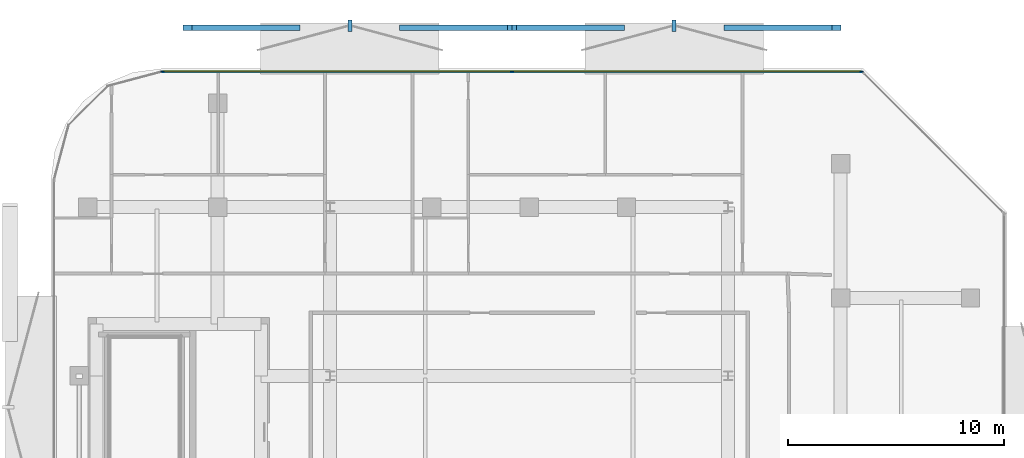
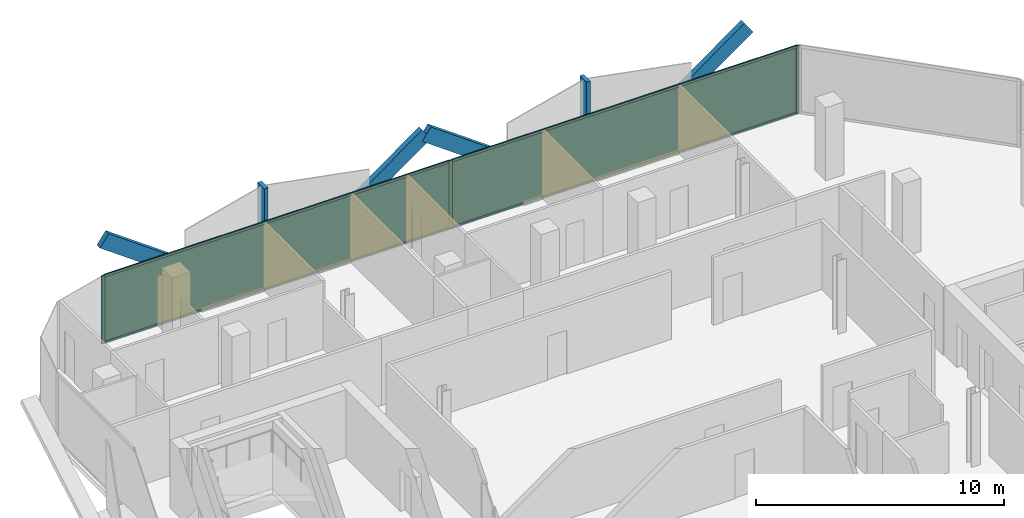
# One storey, part 11 of 15: 13 members, 2 plates, 1 curtain wall.
"""IFC4 building model written with IfcOpenShell, lengths in metres."""

from ifc_helpers import new_model, si_unit, direction, frame, frame_2d, origin, origin_2d, place, context, subcontext, project, spatial, rectangle, extrude, material, layer, layer_set, material_profile, profile_set, type_object, element, aggregate, save


model = new_model("IFC4")

# Units and contexts
model_context = context("Model", 3, precision=1e-05, world=origin(), true_north=direction((0.0, 1.0)))
body_context = subcontext(model_context, "Body", "Model", "MODEL_VIEW")
ifc_project = project(units=[si_unit("LENGTHUNIT", "METRE"), si_unit("AREAUNIT", "SQUARE_METRE"), si_unit("VOLUMEUNIT", "CUBIC_METRE"), si_unit("PLANEANGLEUNIT", "RADIAN"), si_unit("MASSUNIT", "GRAM", prefix="KILO")], contexts=[model_context])

# Member
ifc_material_1 = material(Name="Anodised Bronze Aluminium 6063-T6", Category="aluminium")
ifc_material_profile_1 = material_profile(ifc_material_1, rectangle(XDim=0.260009765625, YDim=0.699951171875, at=origin_2d()))
ifc_profile_set_1 = profile_set([ifc_material_profile_1], Name="Anodised Bronze Aluminium 6063-T6")
member_type_1 = type_object("IfcMemberType", Name="Bronze Diamond Solar-Screen Lattice Rib BDL-700", PredefinedType="MULLION", material=ifc_profile_set_1)
site_placement = place(None, origin())
building_placement = place(site_placement, origin())
storey_placement = place(building_placement, frame((0.0, 0.0, 251.199951171875)))
member_1_placement = place(storey_placement, frame((-5.793212890625, 26.89990234375, -0.1298828125), z_axis=(0.811477958284, 0.0, 0.584383027834), x_axis=(0.0, 1.0, 0.0)))
member_1 = element("IfcMember", 1, at=member_1_placement, type_object=member_type_1, Name="L59 Bronze Diamond Solar Screen Lattice Rib 405A", PredefinedType="MULLION", context=body_context, shape_type="SweptSolid", body=[
    extrude(rectangle(XDim=0.260009765625, YDim=0.699951171875, at=origin_2d()), origin(), (0.0, 0.0, 1.0), 6.16015625),
])

member_2_placement = place(storey_placement, frame((-10.7919921875, 26.89990234375, -0.1298828125), z_axis=(-0.811477958284, 0.0, 0.584383027834), x_axis=(0.0, -1.0, 0.0)))
member_2 = element("IfcMember", 2, at=member_2_placement, type_object=member_type_1, Name="L59 Bronze Diamond Solar Screen Lattice Rib 405B", PredefinedType="MULLION", context=body_context, shape_type="SweptSolid", body=[
    extrude(rectangle(XDim=0.260009765625, YDim=0.699951171875, at=origin_2d()), origin(), (0.0, 0.0, 1.0), 6.16015625),
])

member_3_placement = place(storey_placement, frame((9.203125, 26.89990234375, -0.1298828125), z_axis=(0.811477958284, 0.0, 0.584383027834), x_axis=(0.0, 1.0, 0.0)))
member_3 = element("IfcMember", 3, at=member_3_placement, type_object=member_type_1, Name="L59 Bronze Diamond Solar Screen Lattice Rib 406A", PredefinedType="MULLION", context=body_context, shape_type="SweptSolid", body=[
    extrude(rectangle(XDim=0.260009765625, YDim=0.699951171875, at=origin_2d()), origin(), (0.0, 0.0, 1.0), 6.16015625),
])

member_4_placement = place(storey_placement, frame((4.204345703125, 26.89990234375, -0.1298828125), z_axis=(-0.811477958284, 0.0, 0.584383027834), x_axis=(0.0, -1.0, 0.0)))
member_4 = element("IfcMember", 4, at=member_4_placement, type_object=member_type_1, Name="L59 Bronze Diamond Solar Screen Lattice Rib 406B", PredefinedType="MULLION", context=body_context, shape_type="SweptSolid", body=[
    extrude(rectangle(XDim=0.260009765625, YDim=0.699951171875, at=origin_2d()), origin(), (0.0, 0.0, 1.0), 6.16015625),
])

ifc_material_2 = material(Name="Anodised Bronze Aluminium 6063-T6", Category="aluminium")
ifc_material_profile_2 = material_profile(ifc_material_2, rectangle(XDim=0.179931640625, YDim=0.5400390625, at=origin_2d()))
ifc_profile_set_2 = profile_set([ifc_material_profile_2], Name="Anodised Bronze Aluminium 6063-T6")
member_type_2 = type_object("IfcMemberType", Name="Bronze Solar-Screen Vertical Fold Fin BSF-540", PredefinedType="MULLION", material=ifc_profile_set_2)
member_5_placement = place(storey_placement, frame((-8.29248046875, 26.97998046875, -0.1298828125), z_axis=(0.0, 0.0, 1.0), x_axis=(1.0, 0.0, 0.0)))
member_5 = element("IfcMember", 5, at=member_5_placement, type_object=member_type_2, Name="L59 Bronze Solar Screen Vertical Fin 405", PredefinedType="MULLION", context=body_context, shape_type="SweptSolid", body=[
    extrude(rectangle(XDim=0.179931640625, YDim=0.5400390625, at=origin_2d()), origin(), (0.0, 0.0, 1.0), 3.599853515625),
])

member_6_placement = place(storey_placement, frame((6.703857421875, 26.97998046875, -0.1298828125), z_axis=(0.0, 0.0, 1.0), x_axis=(1.0, 0.0, 0.0)))
member_6 = element("IfcMember", 6, at=member_6_placement, type_object=member_type_2, Name="L59 Bronze Solar Screen Vertical Fin 406", PredefinedType="MULLION", context=body_context, shape_type="SweptSolid", body=[
    extrude(rectangle(XDim=0.179931640625, YDim=0.5400390625, at=origin_2d()), origin(), (0.0, 0.0, 1.0), 3.599853515625),
])

ifc_material_3 = material(Name="Anodised Bronze Aluminium 6063-T6", Category="aluminium")
ifc_material_profile_3 = material_profile(ifc_material_3, rectangle(XDim=0.06005859375, YDim=0.159912109375, at=origin_2d()))
ifc_profile_set_3 = profile_set([ifc_material_profile_3], Name="Anodised Bronze Aluminium 6063-T6")
member_type_3 = type_object("IfcMemberType", Name="CW-Z4 Mullion 60x160", PredefinedType="MULLION", material=ifc_profile_set_3)
member_7_placement = place(storey_placement, frame((-16.960693359375, 24.860107421875, 0.0), z_axis=(0.0, 0.0, 1.0), x_axis=(0.0, 1.0, 0.0)))
member_7 = element("IfcMember", 7, at=member_7_placement, type_object=member_type_3, Name="CW-Z4 mullion 1", PredefinedType="MULLION", context=body_context, shape_type="SweptSolid", body=[
    extrude(rectangle(XDim=0.06005859375, YDim=0.159912109375, at=origin_2d()), origin(), (0.0, 0.0, 1.0), 3.340087890625),
])

member_8_placement = place(storey_placement, frame((-0.79443359375, 24.860107421875, 0.0), z_axis=(0.0, 0.0, 1.0), x_axis=(0.0, 1.0, 0.0)))
member_8 = element("IfcMember", 8, at=member_8_placement, type_object=member_type_3, Name="CW-Z4 mullion 2", PredefinedType="MULLION", context=body_context, shape_type="SweptSolid", body=[
    extrude(rectangle(XDim=0.06005859375, YDim=0.159912109375, at=origin_2d()), origin(), (0.0, 0.0, 1.0), 3.340087890625),
])

member_9_placement = place(storey_placement, frame((15.3720703125, 24.860107421875, 0.0), z_axis=(0.0, 0.0, 1.0), x_axis=(0.0, 1.0, 0.0)))
member_9 = element("IfcMember", 9, at=member_9_placement, type_object=member_type_3, Name="CW-Z4 mullion 3", PredefinedType="MULLION", context=body_context, shape_type="SweptSolid", body=[
    extrude(rectangle(XDim=0.06005859375, YDim=0.159912109375, at=origin_2d()), origin(), (0.0, 0.0, 1.0), 3.340087890625),
])

ifc_material_4 = material(Name="Anodised Bronze Aluminium 6063-T6", Category="aluminium")
ifc_material_profile_4 = material_profile(ifc_material_4, rectangle(XDim=0.06005859375, YDim=0.125, at=origin_2d()))
ifc_profile_set_4 = profile_set([ifc_material_profile_4], Name="Anodised Bronze Aluminium 6063-T6")
member_type_4 = type_object("IfcMemberType", Name="CW-Z4 Transom 60x125", PredefinedType="USERDEFINED", material=ifc_profile_set_4)
member_10_placement = place(storey_placement, frame((-16.930908203125, 24.860107421875, 0.030029296875), z_axis=(1.0, 0.0, 0.0), x_axis=(0.0, 1.0, 0.0)))
member_10 = element("IfcMember", 10, at=member_10_placement, type_object=member_type_4, Name="CW-Z4 transom 1.1", ObjectType="TRANSOM", PredefinedType="USERDEFINED", context=body_context, shape_type="SweptSolid", body=[
    extrude(rectangle(XDim=0.06005859375, YDim=0.125, at=origin_2d()), origin(), (0.0, 0.0, 1.0), 16.1064453125),
])

member_11_placement = place(storey_placement, frame((-16.930908203125, 24.860107421875, 3.31005859375), z_axis=(1.0, 0.0, 0.0), x_axis=(0.0, 1.0, 0.0)))
member_11 = element("IfcMember", 11, at=member_11_placement, type_object=member_type_4, Name="CW-Z4 transom 1.2", ObjectType="TRANSOM", PredefinedType="USERDEFINED", context=body_context, shape_type="SweptSolid", body=[
    extrude(rectangle(XDim=0.06005859375, YDim=0.125, at=origin_2d()), origin(), (0.0, 0.0, 1.0), 16.1064453125),
])

member_12_placement = place(storey_placement, frame((-0.764404296875, 24.860107421875, 0.030029296875), z_axis=(1.0, 0.0, 0.0), x_axis=(0.0, 1.0, 0.0)))
member_12 = element("IfcMember", 12, at=member_12_placement, type_object=member_type_4, Name="CW-Z4 transom 2.1", ObjectType="TRANSOM", PredefinedType="USERDEFINED", context=body_context, shape_type="SweptSolid", body=[
    extrude(rectangle(XDim=0.06005859375, YDim=0.125, at=origin_2d()), origin(), (0.0, 0.0, 1.0), 16.1064453125),
])

member_13_placement = place(storey_placement, frame((-0.764404296875, 24.860107421875, 3.31005859375), z_axis=(1.0, 0.0, 0.0), x_axis=(0.0, 1.0, 0.0)))
member_13 = element("IfcMember", 13, at=member_13_placement, type_object=member_type_4, Name="CW-Z4 transom 2.2", ObjectType="TRANSOM", PredefinedType="USERDEFINED", context=body_context, shape_type="SweptSolid", body=[
    extrude(rectangle(XDim=0.06005859375, YDim=0.125, at=origin_2d()), origin(), (0.0, 0.0, 1.0), 16.1064453125),
])

# Plate
ifc_material_5 = material(Name="Low-E Solar Control Laminated Glass", Category="glass")
ifc_layer_1 = layer(ifc_material_5, 0.030029296875, Name="Low-E Solar Control Laminated Glass")
ifc_layer_set_1 = layer_set([ifc_layer_1], Name="Low-E Solar Control Laminated Glass")
plate_type = type_object("IfcPlateType", Name="CW-Z4 Low-E Double Glazed Panel 30mm", PredefinedType="CURTAIN_PANEL", material=ifc_layer_set_1)
plate_1_placement = place(storey_placement, frame((-8.877685546875, 24.860107421875, 0.06005859375), z_axis=(0.0, 0.0, 1.0), x_axis=(1.0, 0.0, 0.0)))
plate_1 = element("IfcPlate", 14, at=plate_1_placement, type_object=plate_type, Name="CW-Z4 panel 1.1", PredefinedType="CURTAIN_PANEL", context=body_context, shape_type="SweptSolid", body=[
    extrude(rectangle(XDim=16.1064453125, YDim=0.030029296875, at=origin_2d()), origin(), (0.0, 0.0, 1.0), 3.219970703125),
])

plate_2_placement = place(storey_placement, frame((7.288818359375, 24.860107421875, 0.06005859375), z_axis=(0.0, 0.0, 1.0), x_axis=(1.0, 0.0, 0.0)))
plate_2 = element("IfcPlate", 15, at=plate_2_placement, type_object=plate_type, Name="CW-Z4 panel 2.1", PredefinedType="CURTAIN_PANEL", context=body_context, shape_type="SweptSolid", body=[
    extrude(rectangle(XDim=16.1064453125, YDim=0.030029296875, at=origin_2d()), origin(), (0.0, 0.0, 1.0), 3.219970703125),
])

# Site, building, storey
site = spatial("IfcSite", under=ifc_project, at=site_placement, CompositionType="ELEMENT")
building = spatial("IfcBuilding", under=site, at=building_placement, Name="Khairoan Windgate Tower", CompositionType="ELEMENT")
storey = spatial("IfcBuildingStorey", under=building, at=storey_placement, Name="L59", CompositionType="ELEMENT", Elevation=251.199951171875)

# Curtain wall
ifc_material_6 = material(Name="Anodised Bronze Aluminium 6063-T6", Category="aluminium")
ifc_layer_2 = layer(ifc_material_6, 0.159912109375, Name="Anodised Bronze Aluminium 6063-T6")
ifc_layer_set_2 = layer_set([ifc_layer_2], Name="Anodised Bronze Aluminium 6063-T6")
curtain_wall_type = type_object("IfcCurtainWallType", Name="Sky Residence Unitised Curtain Wall CW-Z4", PredefinedType="NOTDEFINED", material=ifc_layer_set_2)
curtain_wall_placement = place(storey_placement, frame((-16.99072265625, 24.860107421875, 0.0), z_axis=(0.0, 0.0, 1.0), x_axis=(1.0, 0.0, 0.0)))
curtain_wall = element("IfcCurtainWall", 16, at=curtain_wall_placement, inside=storey, type_object=curtain_wall_type, Name="L59 Unitised Curtain Wall 9", PredefinedType="NOTDEFINED", context=body_context, shape_type="SweptSolid", body=[
    extrude(rectangle(XDim=32.392822265625, YDim=0.010009765625, at=frame_2d((16.1962890625, 0.0))), origin(), (0.0, 0.0, 1.0), 3.340087890625),
])

aggregate(curtain_wall, [member_7, member_8, member_9, member_10, member_11, plate_1, member_12, member_13, plate_2, member_1, member_2, member_5, member_3, member_4, member_6])

save(model, "model.ifc")
